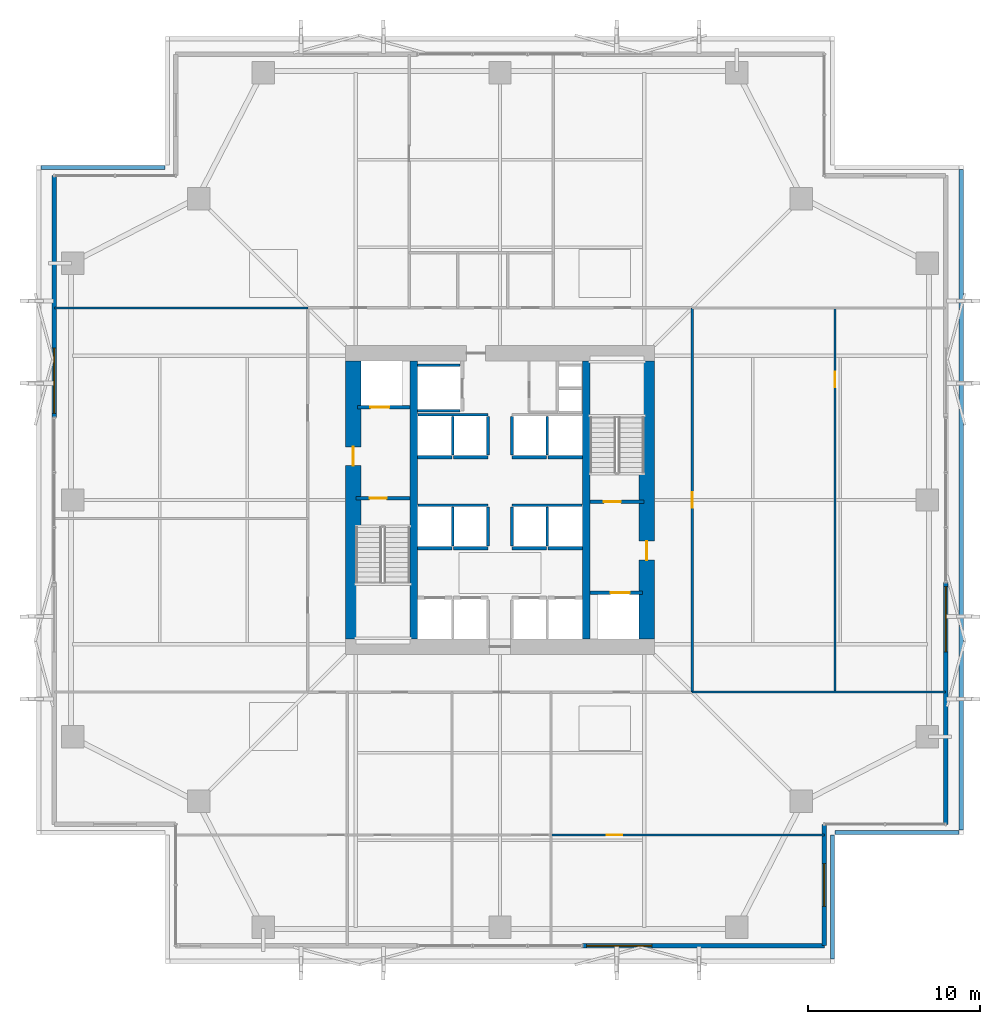
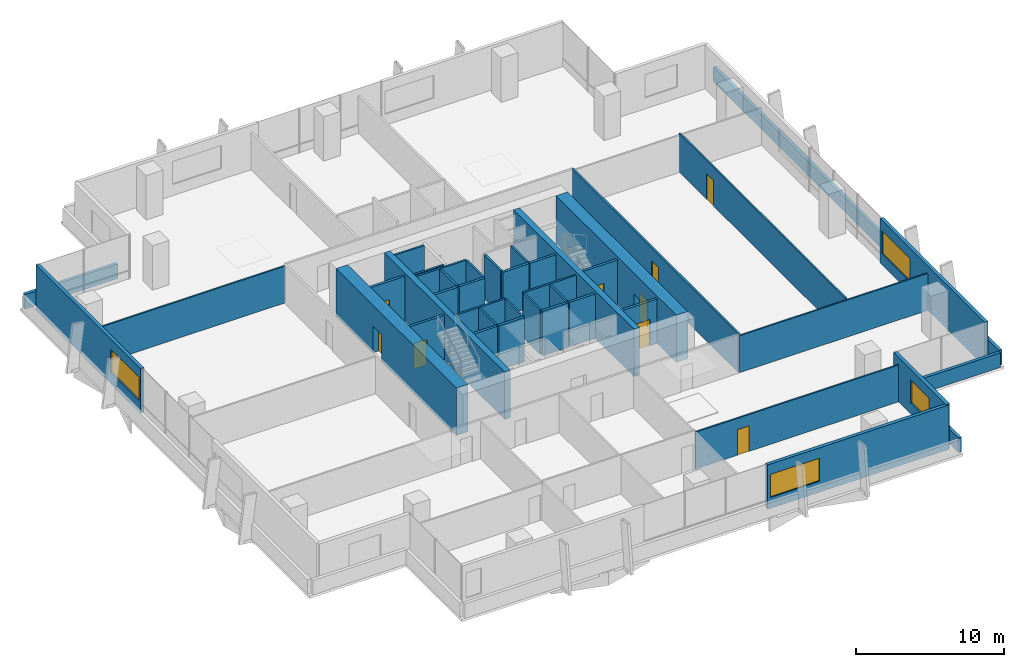
# One storey, part 31 of 34: 42 walls, 9 doors, 4 windows, 13 openings.
"""IFC4 building model written with IfcOpenShell, lengths in metres."""

from ifc_helpers import new_model, si_unit, direction, frame, frame_2d, origin, place, context, subcontext, project, spatial, rectangle, extrude, material, layer, layer_set, type_object, element, fill, save


model = new_model("IFC4")

# Units and contexts
model_context = context("Model", 3, precision=1e-05, world=origin(), true_north=direction((0.0, 1.0)))
body_context = subcontext(model_context, "Body", "Model", "MODEL_VIEW")
ifc_project = project(units=[si_unit("LENGTHUNIT", "METRE"), si_unit("AREAUNIT", "SQUARE_METRE"), si_unit("VOLUMEUNIT", "CUBIC_METRE"), si_unit("PLANEANGLEUNIT", "RADIAN"), si_unit("MASSUNIT", "GRAM", prefix="KILO")], contexts=[model_context])

# Site, building, storey
site_placement = place(None, origin())
site = spatial("IfcSite", under=ifc_project, at=site_placement, CompositionType="ELEMENT")
building_placement = place(site_placement, origin())
building = spatial("IfcBuilding", under=site, at=building_placement, Name="Belovzor Exchange Tower", CompositionType="ELEMENT")
storey_placement = place(building_placement, frame((0.0, 0.0, 113.39990234375)))
storey = spatial("IfcBuildingStorey", under=building, at=storey_placement, Name="L27", CompositionType="ELEMENT", Elevation=113.39990234375)

# Wall, opening, door
ifc_material_1 = material(Name="Acoustic Plasterboard on Galvanised Studs", Category="gypsum")
ifc_layer_1 = layer(ifc_material_1, 0.1201171875)
ifc_layer_set_1 = layer_set([ifc_layer_1], Name="Acoustic Plasterboard on Galvanised Studs")
wall_type_1 = type_object("IfcWallType", Name="Acoustic Double-Stud Partition Wall 120", PredefinedType="PARTITIONING", material=ifc_layer_set_1)
wall_1_placement = place(storey_placement, frame((31.780029296875, 9.280029296875, 0.0), z_axis=(0.0, 0.0, 1.0), x_axis=(1.0, 0.0, 0.0)))
wall_1 = element("IfcWall", 1, at=wall_1_placement, inside=storey, type_object=wall_type_1, Name="W-P120 Partition Wall W-L27-SHDIV-3", PredefinedType="PARTITIONING", context=body_context, shape_type="SweptSolid", body=[
    extrude(rectangle(XDim=15.919921875, YDim=0.1201171875, at=frame_2d((7.9599609375, 0.0))), origin(), (0.0, 0.0, 1.0), 3.03515625),
])
opening_1_placement = place(wall_1_placement, frame((3.24609375, 0.0, 0.0)))
opening_1 = element("IfcOpeningElement", 2, at=opening_1_placement, cuts=wall_1, Name="Opening D-INT-090", PredefinedType="OPENING", context=body_context, shape_type="SweptSolid", body=[
    extrude(rectangle(XDim=0.89990234375, YDim=2.10009765625, at=frame_2d((0.449951171875, 1.050048828125))), frame((0.0, 0.070068359375, 0.0), z_axis=(0.0, -1.0, 0.0), x_axis=(1.0, 0.0, 0.0)), (0.0, 0.0, 1.0), 0.14013671875),
])
ifc_material_2 = material(Name="Veneered Hardwood Acoustic Leaf", Category="wood")
door_type_1 = type_object("IfcDoorType", Name="Trading Suite Acoustic Single Door 900x2100", OperationType="NOTDEFINED", PredefinedType="DOOR", material=ifc_material_2)
door_1_placement = place(opening_1_placement, origin())
door_1 = element("IfcDoor", 3, at=door_1_placement, inside=storey, type_object=door_type_1, Name="D-INT-090 Trading Suite Acoustic Single Door 900x2100", OperationType="SINGLE_SWING_LEFT", OverallHeight=2.10009765625, OverallWidth=0.89990234375, PredefinedType="DOOR", context=body_context, shape_type="SweptSolid", body=[
    extrude(rectangle(XDim=0.89990234375, YDim=2.10009765625, at=frame_2d((0.449951171875, 1.050048828125))), frame((0.0, 0.02490234375, 0.0), z_axis=(0.0, -1.0, 0.0), x_axis=(1.0, 0.0, 0.0)), (0.0, 0.0, 1.0), 0.050048828125),
])
fill(opening_1, door_1)

# Walls
for number, where, z_axis, x_axis, name in (
    (4, (40.0, 17.60009765625, 0.0), (0.0, 0.0, 1.0), (1.0, 0.0, 0.0), "W-P120 Partition Wall W-L27-END-SE"),
    (5, (2.830078125, 40.0, 0.0), (0.0, 0.0, 1.0), (1.0, 0.0, 0.0), "W-P120 Partition Wall W-L27-END-NW"),
):
    element("IfcWall", number, at=place(storey_placement, frame(where, z_axis=z_axis, x_axis=x_axis)), inside=storey, type_object=wall_type_1, Name=name, PredefinedType="PARTITIONING", context=body_context, shape_type="SweptSolid", body=[
        extrude(rectangle(XDim=14.77001953125, YDim=0.1201171875, at=frame_2d((7.385009765625, 0.0))), origin(), (0.0, 0.0, 1.0), 3.03515625),
    ])

# Wall, opening, door
wall_2_placement = place(storey_placement, frame((48.320068359375, 17.60009765625, 0.0), z_axis=(0.0, 0.0, 1.0), x_axis=(0.0, 1.0, 0.0)))
wall_2 = element("IfcWall", 6, at=wall_2_placement, inside=storey, type_object=wall_type_1, Name="W-P120 Partition Wall W-L27-EHDIV-0", PredefinedType="PARTITIONING", context=body_context, shape_type="SweptSolid", body=[
    extrude(rectangle(XDim=22.39990234375, YDim=0.1201171875, at=frame_2d((11.199951171875, 0.0))), origin(), (0.0, 0.0, 1.0), 3.18505859375),
])
opening_2_placement = place(wall_2_placement, frame((17.782958984375, 0.0, 0.0)))
opening_2 = element("IfcOpeningElement", 7, at=opening_2_placement, cuts=wall_2, Name="Opening D-INT-090", PredefinedType="OPENING", context=body_context, shape_type="SweptSolid", body=[
    extrude(rectangle(XDim=0.89990234375, YDim=2.10009765625, at=frame_2d((0.449951171875, 1.050048828125))), frame((0.0, 0.070068359375, 0.0), z_axis=(0.0, -1.0, 0.0), x_axis=(1.0, 0.0, 0.0)), (0.0, 0.0, 1.0), 0.14013671875),
])
door_2_placement = place(opening_2_placement, origin())
door_2 = element("IfcDoor", 8, at=door_2_placement, inside=storey, type_object=door_type_1, Name="D-INT-090 Trading Suite Acoustic Single Door 900x2100", OperationType="SINGLE_SWING_RIGHT", OverallHeight=2.10009765625, OverallWidth=0.89990234375, PredefinedType="DOOR", context=body_context, shape_type="SweptSolid", body=[
    extrude(rectangle(XDim=0.89990234375, YDim=2.10009765625, at=frame_2d((0.449951171875, 1.050048828125))), frame((0.0, 0.02490234375, 0.0), z_axis=(0.0, -1.0, 0.0), x_axis=(1.0, 0.0, 0.0)), (0.0, 0.0, 1.0), 0.050048828125),
])
fill(opening_2, door_2)

ifc_material_3 = material(Name="Fire-Rated Gypsum Block and Mineral Wool", Category="gypsum")
ifc_layer_2 = layer(ifc_material_3, 0.14990234375)
ifc_layer_set_2 = layer_set([ifc_layer_2], Name="Fire-Rated Gypsum Block and Mineral Wool")
wall_type_2 = type_object("IfcWallType", Name="Fire-Rated Gypsum Block Corridor Wall 150", PredefinedType="PARTITIONING", material=ifc_layer_set_2)
wall_3_placement = place(storey_placement, frame((40.0, 17.60009765625, 0.0), z_axis=(0.0, 0.0, 1.0), x_axis=(0.0, 1.0, 0.0)))
wall_3 = element("IfcWall", 9, at=wall_3_placement, inside=storey, type_object=wall_type_2, Name="W-P150 Partition Wall W-L27-CE", PredefinedType="PARTITIONING", context=body_context, shape_type="SweptSolid", body=[
    extrude(rectangle(XDim=22.39990234375, YDim=0.14990234375, at=frame_2d((11.199951171875, 0.0))), origin(), (0.0, 0.0, 1.0), 3.18505859375),
])
opening_3_placement = place(wall_3_placement, frame((10.75, 0.0, 0.0)))
opening_3 = element("IfcOpeningElement", 10, at=opening_3_placement, cuts=wall_3, Name="Opening D-INT-090", PredefinedType="OPENING", context=body_context, shape_type="SweptSolid", body=[
    extrude(rectangle(XDim=0.89990234375, YDim=2.10009765625, at=frame_2d((0.449951171875, 1.050048828125))), frame((0.0, 0.0849609375, 0.0), z_axis=(0.0, -1.0, 0.0), x_axis=(1.0, 0.0, 0.0)), (0.0, 0.0, 1.0), 0.169921875),
])
door_3_placement = place(opening_3_placement, origin())
door_3 = element("IfcDoor", 11, at=door_3_placement, inside=storey, type_object=door_type_1, Name="D-INT-090 Trading Suite Acoustic Single Door 900x2100", OperationType="SINGLE_SWING_LEFT", OverallHeight=2.10009765625, OverallWidth=0.89990234375, PredefinedType="DOOR", context=body_context, shape_type="SweptSolid", body=[
    extrude(rectangle(XDim=0.89990234375, YDim=2.10009765625, at=frame_2d((0.449951171875, 1.050048828125))), frame((0.0, 0.02490234375, 0.0), z_axis=(0.0, -1.0, 0.0), x_axis=(1.0, 0.0, 0.0)), (0.0, 0.0, 1.0), 0.050048828125),
])
fill(opening_3, door_3)

# Wall, opening, window
ifc_material_4 = material(Name="Precast concrete C40/50", Category="concrete")
ifc_layer_3 = layer(ifc_material_4, 0.280029296875)
ifc_layer_set_3 = layer_set([ifc_layer_3], Name="Precast concrete C40/50")
wall_type_3 = type_object("IfcWallType", Name="Precast Concrete Notched Corner Frame Wall 280", PredefinedType="SOLIDWALL", material=ifc_layer_set_3)
wall_4_placement = place(storey_placement, frame((47.699951171875, 9.89990234375, 0.0), z_axis=(0.0, 0.0, 1.0), x_axis=(0.0, -1.0, 0.0)))
wall_4 = element("IfcWall", 12, at=wall_4_placement, inside=storey, type_object=wall_type_3, Name="W-CRN280 Precast Concrete Notched Corner Frame Wall 280 L27", PredefinedType="SOLIDWALL", context=body_context, shape_type="SweptSolid", body=[
    extrude(rectangle(XDim=7.06982421875, YDim=0.280029296875, at=frame_2d((3.534912109375, 0.0))), origin(), (0.0, 0.0, 1.0), 3.650146484375),
])
opening_4_placement = place(wall_4_placement, frame((2.284912109375, 0.0, 0.89990234375)))
opening_4 = element("IfcOpeningElement", 13, at=opening_4_placement, cuts=wall_4, Name="Opening WN-CRN250", PredefinedType="OPENING", context=body_context, shape_type="SweptSolid", body=[
    extrude(rectangle(XDim=2.5, YDim=1.89990234375, at=frame_2d((1.25, 0.949951171875))), frame((0.0, 0.14990234375, 0.0), z_axis=(0.0, -1.0, 0.0), x_axis=(1.0, 0.0, 0.0)), (0.0, 0.0, 1.0), 0.300048828125),
])
ifc_material_5 = material(Name="Thermally Broken Aluminium and Triple Glazing", Category="aluminium")
window_type_1 = type_object("IfcWindowType", Name="Streamline Moderne Corner Wrap Ribbon Window 2500x1900", PartitioningType="SINGLE_PANEL", PredefinedType="WINDOW", material=ifc_material_5)
window_1_placement = place(opening_4_placement, origin())
window_1 = element("IfcWindow", 14, at=window_1_placement, inside=storey, type_object=window_type_1, Name="WN-CRN250 Streamline Moderne Corner Wrap Ribbon Window 2500x1900", OverallHeight=1.89990234375, OverallWidth=2.5, PartitioningType="SINGLE_PANEL", PredefinedType="WINDOW", context=body_context, shape_type="SweptSolid", body=[
    extrude(rectangle(XDim=2.5, YDim=1.89990234375, at=frame_2d((1.25, 0.949951171875))), frame((0.0, 0.030029296875, 0.0), z_axis=(0.0, -1.0, 0.0), x_axis=(1.0, 0.0, 0.0)), (0.0, 0.0, 1.0), 0.06005859375),
])
fill(opening_4, window_1)

ifc_material_6 = material(Name="Precast concrete C40/50", Category="concrete")
ifc_layer_4 = layer(ifc_material_6, 0.260009765625)
ifc_layer_set_4 = layer_set([ifc_layer_4], Name="Precast concrete C40/50")
wall_type_4 = type_object("IfcWallType", Name="Precast Concrete Perimeter Loggia Frame Wall 260", PredefinedType="SOLIDWALL", material=ifc_layer_set_4)
wall_5_placement = place(storey_placement, frame((47.699951171875, 2.830078125, 0.0), z_axis=(0.0, 0.0, 1.0), x_axis=(-1.0, 0.0, 0.0)))
wall_5 = element("IfcWall", 15, at=wall_5_placement, inside=storey, type_object=wall_type_4, Name="W-EXT260 Precast Concrete Perimeter Loggia Frame Wall 260 L27", PredefinedType="SOLIDWALL", context=body_context, shape_type="SweptSolid", body=[
    extrude(rectangle(XDim=14.099853515625, YDim=0.260009765625, at=frame_2d((7.0498046875, 0.0))), origin(), (0.0, 0.0, 1.0), 3.650146484375),
])
opening_5_placement = place(wall_5_placement, frame((10.050048828125, 0.0, 0.89990234375)))
opening_5 = element("IfcOpeningElement", 16, at=opening_5_placement, cuts=wall_5, Name="Opening WN-RIB380", PredefinedType="OPENING", context=body_context, shape_type="SweptSolid", body=[
    extrude(rectangle(XDim=3.800048828125, YDim=1.89990234375, at=frame_2d((1.89990234375, 0.949951171875))), frame((0.0, 0.139892578125, 0.0), z_axis=(0.0, -1.0, 0.0), x_axis=(1.0, 0.0, 0.0)), (0.0, 0.0, 1.0), 0.280029296875),
])
ifc_material_7 = material(Name="Thermally Broken Aluminium and Triple Glazing", Category="aluminium")
window_type_2 = type_object("IfcWindowType", Name="Streamline Moderne Horizontal Ribbon Window 3800x1900", PartitioningType="SINGLE_PANEL", PredefinedType="WINDOW", material=ifc_material_7)
window_2_placement = place(opening_5_placement, origin())
window_2 = element("IfcWindow", 17, at=window_2_placement, inside=storey, type_object=window_type_2, Name="WN-RIB380 Streamline Moderne Horizontal Ribbon Window 3800x1900", OverallHeight=1.89990234375, OverallWidth=3.800048828125, PartitioningType="SINGLE_PANEL", PredefinedType="WINDOW", context=body_context, shape_type="SweptSolid", body=[
    extrude(rectangle(XDim=3.800048828125, YDim=1.89990234375, at=frame_2d((1.89990234375, 0.949951171875))), frame((0.0, 0.030029296875, 0.0), z_axis=(0.0, -1.0, 0.0), x_axis=(1.0, 0.0, 0.0)), (0.0, 0.0, 1.0), 0.06005859375),
])
fill(opening_5, window_2)

wall_6_placement = place(storey_placement, frame((2.830078125, 33.60009765625, 0.0), z_axis=(0.0, 0.0, 1.0), x_axis=(0.0, 1.0, 0.0)))
wall_6 = element("IfcWall", 18, at=wall_6_placement, inside=storey, type_object=wall_type_4, Name="W-EXT260 Precast Concrete Perimeter Loggia Frame Wall 260 L27", PredefinedType="SOLIDWALL", context=body_context, shape_type="SweptSolid", body=[
    extrude(rectangle(XDim=14.099853515625, YDim=0.260009765625, at=frame_2d((7.0498046875, 0.0))), origin(), (0.0, 0.0, 1.0), 3.650146484375),
])
opening_6_placement = place(wall_6_placement, frame((0.25, 0.0, 0.89990234375)))
opening_6 = element("IfcOpeningElement", 19, at=opening_6_placement, cuts=wall_6, Name="Opening WN-RIB380", PredefinedType="OPENING", context=body_context, shape_type="SweptSolid", body=[
    extrude(rectangle(XDim=3.800048828125, YDim=1.89990234375, at=frame_2d((1.89990234375, 0.949951171875))), frame((0.0, 0.139892578125, 0.0), z_axis=(0.0, -1.0, 0.0), x_axis=(1.0, 0.0, 0.0)), (0.0, 0.0, 1.0), 0.280029296875),
])
window_3_placement = place(opening_6_placement, origin())
window_3 = element("IfcWindow", 20, at=window_3_placement, inside=storey, type_object=window_type_2, Name="WN-RIB380 Streamline Moderne Horizontal Ribbon Window 3800x1900", OverallHeight=1.89990234375, OverallWidth=3.800048828125, PartitioningType="SINGLE_PANEL", PredefinedType="WINDOW", context=body_context, shape_type="SweptSolid", body=[
    extrude(rectangle(XDim=3.800048828125, YDim=1.89990234375, at=frame_2d((1.89990234375, 0.949951171875))), frame((0.0, 0.030029296875, 0.0), z_axis=(0.0, -1.0, 0.0), x_axis=(1.0, 0.0, 0.0)), (0.0, 0.0, 1.0), 0.06005859375),
])
fill(opening_6, window_3)

wall_7_placement = place(storey_placement, frame((54.77001953125, 24.0, 0.0), z_axis=(0.0, 0.0, 1.0), x_axis=(0.0, -1.0, 0.0)))
wall_7 = element("IfcWall", 21, at=wall_7_placement, inside=storey, type_object=wall_type_4, Name="W-EXT260 Precast Concrete Perimeter Loggia Frame Wall 260 L27", PredefinedType="SOLIDWALL", context=body_context, shape_type="SweptSolid", body=[
    extrude(rectangle(XDim=14.10009765625, YDim=0.260009765625, at=frame_2d((7.050048828125, 0.0))), origin(), (0.0, 0.0, 1.0), 3.650146484375),
])
opening_7_placement = place(wall_7_placement, frame((0.25, 0.0, 0.89990234375)))
opening_7 = element("IfcOpeningElement", 22, at=opening_7_placement, cuts=wall_7, Name="Opening WN-RIB380", PredefinedType="OPENING", context=body_context, shape_type="SweptSolid", body=[
    extrude(rectangle(XDim=3.800048828125, YDim=1.89990234375, at=frame_2d((1.89990234375, 0.949951171875))), frame((0.0, 0.139892578125, 0.0), z_axis=(0.0, -1.0, 0.0), x_axis=(1.0, 0.0, 0.0)), (0.0, 0.0, 1.0), 0.280029296875),
])
window_4_placement = place(opening_7_placement, origin())
window_4 = element("IfcWindow", 23, at=window_4_placement, inside=storey, type_object=window_type_2, Name="WN-RIB380 Streamline Moderne Horizontal Ribbon Window 3800x1900", OverallHeight=1.89990234375, OverallWidth=3.800048828125, PartitioningType="SINGLE_PANEL", PredefinedType="WINDOW", context=body_context, shape_type="SweptSolid", body=[
    extrude(rectangle(XDim=3.800048828125, YDim=1.89990234375, at=frame_2d((1.89990234375, 0.949951171875))), frame((0.0, 0.030029296875, 0.0), z_axis=(0.0, -1.0, 0.0), x_axis=(1.0, 0.0, 0.0)), (0.0, 0.0, 1.0), 0.06005859375),
])
fill(opening_7, window_4)

# Walls
ifc_material_8 = material(Name="Precast concrete C40/50", Category="concrete")
ifc_layer_5 = layer(ifc_material_8, 0.239990234375)
ifc_layer_set_5 = layer_set([ifc_layer_5], Name="Precast concrete C40/50")
wall_type_5 = type_object("IfcWallType", Name="Precast Stone Setback Roof Parapet Wall 240", PredefinedType="PARAPET", material=ifc_layer_set_5)
for number, where, z_axis, x_axis, name in (
    (24, (48.179931640625, 2.054931640625, 0.0), (0.0, 0.0, 1.0), (0.0, 1.0, 0.0), "W-PAR240 Precast Stone Setback Roof Parapet Wall 240 L27"),
    (25, (48.31494140625, 9.419921875, 0.0), (0.0, 0.0, 1.0), (1.0, 0.0, 0.0), "W-PAR240 Precast Stone Setback Roof Parapet Wall 240 L27"),
):
    element("IfcWall", number, at=place(storey_placement, frame(where, z_axis=z_axis, x_axis=x_axis)), inside=storey, type_object=wall_type_5, Name=name, PredefinedType="PARAPET", context=body_context, shape_type="SweptSolid", body=[
        extrude(rectangle(XDim=7.22998046875, YDim=0.239990234375, at=frame_2d((3.614990234375, 0.0))), origin(), (0.0, 0.0, 1.0), 1.2001953125),
    ])
wall_8_placement = place(storey_placement, frame((55.679931640625, 9.554931640625, 0.0), z_axis=(0.0, 0.0, 1.0), x_axis=(0.0, 1.0, 0.0)))
element("IfcWall", 26, at=wall_8_placement, inside=storey, type_object=wall_type_5, Name="W-PAR240 Precast Stone Setback Roof Parapet Wall 240 L27", PredefinedType="PARAPET", context=body_context, shape_type="SweptSolid", body=[
    extrude(rectangle(XDim=38.489990234375, YDim=0.239990234375, at=frame_2d((19.2451171875, 0.0))), origin(), (0.0, 0.0, 1.0), 1.2001953125),
])
wall_9_placement = place(storey_placement, frame((9.284912109375, 48.179931640625, 0.0), z_axis=(0.0, 0.0, 1.0), x_axis=(-1.0, 0.0, 0.0)))
element("IfcWall", 27, at=wall_9_placement, inside=storey, type_object=wall_type_5, Name="W-PAR240 Precast Stone Setback Roof Parapet Wall 240 L27", PredefinedType="PARAPET", context=body_context, shape_type="SweptSolid", body=[
    extrude(rectangle(XDim=7.22998046875, YDim=0.239990234375, at=frame_2d((3.614990234375, 0.0))), origin(), (0.0, 0.0, 1.0), 1.2001953125),
])
ifc_material_9 = material(Name="Concrete C50/60", Category="concrete")
ifc_layer_6 = layer(ifc_material_9, 0.449951171875)
ifc_layer_set_6 = layer_set([ifc_layer_6], Name="Concrete C50/60")
wall_type_6 = type_object("IfcWallType", Name="Reinforced Concrete Core Internal Web Wall 450", PredefinedType="SHEAR", material=ifc_layer_set_6)
for number, where, z_axis, x_axis, name in (
    (28, (23.77490234375, 20.699951171875, 0.0), (0.0, 0.0, 1.0), (0.0, 1.0, 0.0), "CW-W045 Core Internal Web Wall L27 WL"),
    (29, (33.824951171875, 20.699951171875, 0.0), (0.0, 0.0, 1.0), (0.0, 1.0, 0.0), "CW-W045 Core Internal Web Wall L27 ER"),
):
    element("IfcWall", number, at=place(storey_placement, frame(where, z_axis=z_axis, x_axis=x_axis)), inside=storey, type_object=wall_type_6, Name=name, PredefinedType="SHEAR", context=body_context, shape_type="SweptSolid", body=[
        extrude(rectangle(XDim=16.199951171875, YDim=0.449951171875, at=frame_2d((8.10009765625, 0.0))), origin(), (0.0, 0.0, 1.0), 3.900146484375),
    ])
ifc_material_10 = material(Name="Concrete C50/60", Category="concrete")
ifc_layer_7 = layer(ifc_material_10, 0.14990234375)
ifc_layer_set_7 = layer_set([ifc_layer_7], Name="Concrete C50/60")
wall_type_7 = type_object("IfcWallType", Name="Reinforced Concrete Core Riser Shear Wall 150", PredefinedType="SHEAR", material=ifc_layer_set_7)
for number, where, z_axis, x_axis, name in (
    (30, (24.0, 34.0, 0.0), (0.0, 0.0, 1.0), (1.0, 0.0, 0.0), "W-C150S Core Shaft Wall W-SH-L27-SL-01S"),
    (31, (24.0, 36.64990234375, 0.0), (0.0, 0.0, 1.0), (1.0, 0.0, 0.0), "W-C150S Core Shaft Wall W-SH-L27-SL-01N"),
):
    element("IfcWall", number, at=place(storey_placement, frame(where, z_axis=z_axis, x_axis=x_axis)), inside=storey, type_object=wall_type_7, Name=name, PredefinedType="SHEAR", context=body_context, shape_type="SweptSolid", body=[
        extrude(rectangle(XDim=2.47998046875, YDim=0.14990234375, at=frame_2d((1.239990234375, 0.0))), origin(), (0.0, 0.0, 1.0), 3.650146484375),
    ])
for number, where, z_axis, x_axis, name in (
    (32, (24.02001953125, 28.5, 0.0), (0.0, 0.0, 1.0), (1.0, 0.0, 0.0), "W-C150S Core Shaft Wall W-SHB-L27-PLM-NW"),
    (33, (29.5, 28.5, 0.0), (0.0, 0.0, 1.0), (1.0, 0.0, 0.0), "W-C150S Core Shaft Wall W-SHB-L27-PLM-NE"),
):
    element("IfcWall", number, at=place(storey_placement, frame(where, z_axis=z_axis, x_axis=x_axis)), inside=storey, type_object=wall_type_7, Name=name, PredefinedType="SHEAR", context=body_context, shape_type="SweptSolid", body=[
        extrude(rectangle(XDim=4.080078125, YDim=0.14990234375, at=frame_2d((2.0400390625, 0.0))), origin(), (0.0, 0.0, 1.0), 3.650146484375),
    ])
for number, where, z_axis, x_axis, name in (
    (34, (26.050048828125, 26.1201171875, 0.0), (0.0, 0.0, 1.0), (0.0, 1.0, 0.0), "W-C150S Core Shaft Wall W-SHD-L27-PLM-1"),
    (35, (28.10009765625, 26.1201171875, 0.0), (0.0, 0.0, 1.0), (0.0, 1.0, 0.0), "W-C150S Core Shaft Wall W-SHD-L27-PLM-2"),
    (36, (29.5, 26.1201171875, 0.0), (0.0, 0.0, 1.0), (0.0, 1.0, 0.0), "W-C150S Core Shaft Wall W-SHD-L27-PLM-3"),
    (37, (31.550048828125, 26.1201171875, 0.0), (0.0, 0.0, 1.0), (0.0, 1.0, 0.0), "W-C150S Core Shaft Wall W-SHD-L27-PLM-4"),
):
    element("IfcWall", number, at=place(storey_placement, frame(where, z_axis=z_axis, x_axis=x_axis)), inside=storey, type_object=wall_type_7, Name=name, PredefinedType="SHEAR", context=body_context, shape_type="SweptSolid", body=[
        extrude(rectangle(XDim=2.27978515625, YDim=0.14990234375, at=frame_2d((1.139892578125, 0.0))), origin(), (0.0, 0.0, 1.0), 3.650146484375),
    ])
wall_10_placement = place(storey_placement, frame((24.02001953125, 33.760009765625, 0.0), z_axis=(0.0, 0.0, 1.0), x_axis=(1.0, 0.0, 0.0)))
element("IfcWall", 38, at=wall_10_placement, inside=storey, type_object=wall_type_7, Name="W-C150S Core Shaft Wall W-SHB-L27-PLH-NW", PredefinedType="SHEAR", context=body_context, shape_type="SweptSolid", body=[
    extrude(rectangle(XDim=4.080078125, YDim=0.14990234375, at=frame_2d((2.0400390625, 0.0))), origin(), (0.0, 0.0, 1.0), 3.650146484375),
])
for number, where, z_axis, x_axis, name in (
    (39, (26.050048828125, 31.419921875, 0.0), (0.0, 0.0, 1.0), (0.0, 1.0, 0.0), "W-C150S Core Shaft Wall W-SHD-L27-PLH-1"),
    (40, (28.10009765625, 31.419921875, 0.0), (0.0, 0.0, 1.0), (0.0, 1.0, 0.0), "W-C150S Core Shaft Wall W-SHD-L27-PLH-2"),
    (41, (29.5, 31.419921875, 0.0), (0.0, 0.0, 1.0), (0.0, 1.0, 0.0), "W-C150S Core Shaft Wall W-SHD-L27-PLH-3"),
    (42, (31.550048828125, 31.419921875, 0.0), (0.0, 0.0, 1.0), (0.0, 1.0, 0.0), "W-C150S Core Shaft Wall W-SHD-L27-PLH-4"),
):
    element("IfcWall", number, at=place(storey_placement, frame(where, z_axis=z_axis, x_axis=x_axis)), inside=storey, type_object=wall_type_7, Name=name, PredefinedType="SHEAR", context=body_context, shape_type="SweptSolid", body=[
        extrude(rectangle(XDim=2.239990234375, YDim=0.14990234375, at=frame_2d((1.1201171875, 0.0))), origin(), (0.0, 0.0, 1.0), 3.650146484375),
    ])

# Wall, opening, door
ifc_material_11 = material(Name="Concrete C50/60", Category="concrete")
ifc_layer_8 = layer(ifc_material_11, 0.199951171875)
ifc_layer_set_8 = layer_set([ifc_layer_8], Name="Concrete C50/60")
wall_type_8 = type_object("IfcWallType", Name="Reinforced Concrete Core Shaft Shear Wall 200", PredefinedType="SHEAR", material=ifc_layer_set_8)
wall_11_placement = place(storey_placement, frame((20.39990234375, 28.89990234375, 0.0), z_axis=(0.0, 0.0, 1.0), x_axis=(1.0, 0.0, 0.0)))
wall_11 = element("IfcWall", 43, at=wall_11_placement, inside=storey, type_object=wall_type_8, Name="W-C200S Core Shaft Wall W-CORE-L27-FFLW1", PredefinedType="SHEAR", context=body_context, shape_type="SweptSolid", body=[
    extrude(rectangle(XDim=3.150146484375, YDim=0.199951171875, at=frame_2d((1.5751953125, 0.0))), origin(), (0.0, 0.0, 1.0), 3.650146484375),
])
opening_8_placement = place(wall_11_placement, frame((0.800048828125, 0.0, 0.0)))
opening_8 = element("IfcOpeningElement", 44, at=opening_8_placement, cuts=wall_11, Name="Opening D-FD90-100", PredefinedType="OPENING", context=body_context, shape_type="SweptSolid", body=[
    extrude(rectangle(XDim=1.0, YDim=2.10009765625, at=frame_2d((0.5, 1.050048828125))), frame((0.0, 0.10986328125, 0.0), z_axis=(0.0, -1.0, 0.0), x_axis=(1.0, 0.0, 0.0)), (0.0, 0.0, 1.0), 0.219970703125),
])
ifc_material_12 = material(Name="Fire-Rated Galvanised Steel Leaf", Category="steel")
door_type_2 = type_object("IfcDoorType", Name="Protected Stairwell Single Fire Door 1000x2100", OperationType="NOTDEFINED", PredefinedType="DOOR", material=ifc_material_12)
door_4_placement = place(opening_8_placement, origin())
door_4 = element("IfcDoor", 45, at=door_4_placement, inside=storey, type_object=door_type_2, Name="D-FD90-100 Protected Stairwell Single Fire Door 1000x2100", OperationType="SINGLE_SWING_RIGHT", OverallHeight=2.10009765625, OverallWidth=1.0, PredefinedType="DOOR", context=body_context, shape_type="SweptSolid", body=[
    extrude(rectangle(XDim=1.0, YDim=2.10009765625, at=frame_2d((0.5, 1.050048828125))), frame((0.0, 0.02490234375, 0.0), z_axis=(0.0, -1.0, 0.0), x_axis=(1.0, 0.0, 0.0)), (0.0, 0.0, 1.0), 0.050048828125),
])
fill(opening_8, door_4)

wall_12_placement = place(storey_placement, frame((34.050048828125, 28.699951171875, 0.0), z_axis=(0.0, 0.0, 1.0), x_axis=(1.0, 0.0, 0.0)))
wall_12 = element("IfcWall", 46, at=wall_12_placement, inside=storey, type_object=wall_type_8, Name="W-C200S Core Shaft Wall W-CORE-L27-FFLE2", PredefinedType="SHEAR", context=body_context, shape_type="SweptSolid", body=[
    extrude(rectangle(XDim=3.14990234375, YDim=0.199951171875, at=frame_2d((1.574951171875, 0.0))), origin(), (0.0, 0.0, 1.0), 3.650146484375),
])
opening_9_placement = place(wall_12_placement, frame((0.800048828125, 0.0, 0.0)))
opening_9 = element("IfcOpeningElement", 47, at=opening_9_placement, cuts=wall_12, Name="Opening D-FD90-100", PredefinedType="OPENING", context=body_context, shape_type="SweptSolid", body=[
    extrude(rectangle(XDim=1.0, YDim=2.10009765625, at=frame_2d((0.5, 1.050048828125))), frame((0.0, 0.10986328125, 0.0), z_axis=(0.0, -1.0, 0.0), x_axis=(1.0, 0.0, 0.0)), (0.0, 0.0, 1.0), 0.219970703125),
])
door_5_placement = place(opening_9_placement, origin())
door_5 = element("IfcDoor", 48, at=door_5_placement, inside=storey, type_object=door_type_2, Name="D-FD90-100 Protected Stairwell Single Fire Door 1000x2100", OperationType="SINGLE_SWING_LEFT", OverallHeight=2.10009765625, OverallWidth=1.0, PredefinedType="DOOR", context=body_context, shape_type="SweptSolid", body=[
    extrude(rectangle(XDim=1.0, YDim=2.10009765625, at=frame_2d((0.5, 1.050048828125))), frame((0.0, 0.02490234375, 0.0), z_axis=(0.0, -1.0, 0.0), x_axis=(1.0, 0.0, 0.0)), (0.0, 0.0, 1.0), 0.050048828125),
])
fill(opening_9, door_5)

wall_13_placement = place(storey_placement, frame((20.5, 34.199951171875, 0.0), z_axis=(0.0, 0.0, 1.0), x_axis=(1.0, 0.0, 0.0)))
wall_13 = element("IfcWall", 49, at=wall_13_placement, inside=storey, type_object=wall_type_8, Name="W-C200S Core Shaft Wall W-SH-L27-FFL-01", PredefinedType="SHEAR", context=body_context, shape_type="SweptSolid", body=[
    extrude(rectangle(XDim=3.050048828125, YDim=0.199951171875, at=frame_2d((1.52490234375, 0.0))), origin(), (0.0, 0.0, 1.0), 3.650146484375),
])
opening_10_placement = place(wall_13_placement, frame((0.75, 0.0, 0.0)))
opening_10 = element("IfcOpeningElement", 50, at=opening_10_placement, cuts=wall_13, Name="Opening LD-110", PredefinedType="OPENING", context=body_context, shape_type="SweptSolid", body=[
    extrude(rectangle(XDim=1.10009765625, YDim=2.14990234375, at=frame_2d((0.550048828125, 1.074951171875))), frame((0.0, 0.10986328125, 0.0), z_axis=(0.0, -1.0, 0.0), x_axis=(1.0, 0.0, 0.0)), (0.0, 0.0, 1.0), 0.219970703125),
])
ifc_material_13 = material(Name="Stainless Steel Grade 304", Category="steel")
door_type_3 = type_object("IfcDoorType", Name="Automated Stainless Steel Lift Landing Door 1100x2150", OperationType="SLIDING_TO_RIGHT", PredefinedType="DOOR", material=ifc_material_13)
door_6_placement = place(opening_10_placement, origin())
door_6 = element("IfcDoor", 51, at=door_6_placement, inside=storey, type_object=door_type_3, Name="LD-110 Automated Stainless Steel Lift Landing Door 1100x2150", OperationType="SLIDING_TO_RIGHT", OverallHeight=2.14990234375, OverallWidth=1.10009765625, PredefinedType="DOOR", context=body_context, shape_type="SweptSolid", body=[
    extrude(rectangle(XDim=1.10009765625, YDim=2.14990234375, at=frame_2d((0.550048828125, 1.074951171875))), frame((0.0, 0.02490234375, 0.0), z_axis=(0.0, -1.0, 0.0), x_axis=(1.0, 0.0, 0.0)), (0.0, 0.0, 1.0), 0.050048828125),
])
fill(opening_10, door_6)

wall_14_placement = place(storey_placement, frame((34.050048828125, 23.39990234375, 0.0), z_axis=(0.0, 0.0, 1.0), x_axis=(1.0, 0.0, 0.0)))
wall_14 = element("IfcWall", 52, at=wall_14_placement, inside=storey, type_object=wall_type_8, Name="W-C200S Core Shaft Wall W-SH-L27-FFL-02", PredefinedType="SHEAR", context=body_context, shape_type="SweptSolid", body=[
    extrude(rectangle(XDim=3.050048828125, YDim=0.199951171875, at=frame_2d((1.52490234375, 0.0))), origin(), (0.0, 0.0, 1.0), 3.650146484375),
])
opening_11_placement = place(wall_14_placement, frame((1.199951171875, 0.0, 0.0)))
opening_11 = element("IfcOpeningElement", 53, at=opening_11_placement, cuts=wall_14, Name="Opening LD-110", PredefinedType="OPENING", context=body_context, shape_type="SweptSolid", body=[
    extrude(rectangle(XDim=1.10009765625, YDim=2.14990234375, at=frame_2d((0.550048828125, 1.074951171875))), frame((0.0, 0.10986328125, 0.0), z_axis=(0.0, -1.0, 0.0), x_axis=(1.0, 0.0, 0.0)), (0.0, 0.0, 1.0), 0.219970703125),
])
door_7_placement = place(opening_11_placement, origin())
door_7 = element("IfcDoor", 54, at=door_7_placement, inside=storey, type_object=door_type_3, Name="LD-110 Automated Stainless Steel Lift Landing Door 1100x2150", OperationType="SLIDING_TO_RIGHT", OverallHeight=2.14990234375, OverallWidth=1.10009765625, PredefinedType="DOOR", context=body_context, shape_type="SweptSolid", body=[
    extrude(rectangle(XDim=1.10009765625, YDim=2.14990234375, at=frame_2d((0.550048828125, 1.074951171875))), frame((0.0, 0.02490234375, 0.0), z_axis=(0.0, -1.0, 0.0), x_axis=(1.0, 0.0, 0.0)), (0.0, 0.0, 1.0), 0.050048828125),
])
fill(opening_11, door_7)

# Walls
for number, where, z_axis, x_axis, name in (
    (55, (24.0, 26.0, 0.0), (0.0, 0.0, 1.0), (1.0, 0.0, 0.0), "W-C200S Core Shaft Wall W-SH-L27-PL-M1"),
    (56, (26.10009765625, 26.0, 0.0), (0.0, 0.0, 1.0), (1.0, 0.0, 0.0), "W-C200S Core Shaft Wall W-SH-L27-PL-M2"),
    (57, (29.5, 26.0, 0.0), (0.0, 0.0, 1.0), (1.0, 0.0, 0.0), "W-C200S Core Shaft Wall W-SH-L27-PL-M3"),
    (58, (31.60009765625, 26.0, 0.0), (0.0, 0.0, 1.0), (1.0, 0.0, 0.0), "W-C200S Core Shaft Wall W-SH-L27-PL-M4"),
    (59, (24.0, 31.300048828125, 0.0), (0.0, 0.0, 1.0), (1.0, 0.0, 0.0), "W-C200S Core Shaft Wall W-SH-L27-PL-H1"),
    (60, (26.10009765625, 31.300048828125, 0.0), (0.0, 0.0, 1.0), (1.0, 0.0, 0.0), "W-C200S Core Shaft Wall W-SH-L27-PL-H2"),
    (61, (29.5, 31.300048828125, 0.0), (0.0, 0.0, 1.0), (1.0, 0.0, 0.0), "W-C200S Core Shaft Wall W-SH-L27-PL-H3"),
    (62, (31.60009765625, 31.300048828125, 0.0), (0.0, 0.0, 1.0), (1.0, 0.0, 0.0), "W-C200S Core Shaft Wall W-SH-L27-PL-H4"),
):
    element("IfcWall", number, at=place(storey_placement, frame(where, z_axis=z_axis, x_axis=x_axis)), inside=storey, type_object=wall_type_8, Name=name, PredefinedType="SHEAR", context=body_context, shape_type="SweptSolid", body=[
        extrude(rectangle(XDim=2.0, YDim=0.199951171875, at=frame_2d((1.0, 0.0))), origin(), (0.0, 0.0, 1.0), 3.650146484375),
    ])

# Wall, opening, door
ifc_material_14 = material(Name="Concrete C60/75", Category="concrete")
ifc_layer_9 = layer(ifc_material_14, 0.89990234375)
ifc_layer_set_9 = layer_set([ifc_layer_9], Name="Concrete C60/75")
wall_type_9 = type_object("IfcWallType", Name="Reinforced Concrete Core Shear Wall 900", PredefinedType="SHEAR", material=ifc_layer_set_9)
wall_15_placement = place(storey_placement, frame((20.25, 20.699951171875, 0.0), z_axis=(0.0, 0.0, 1.0), x_axis=(0.0, 1.0, 0.0)))
wall_15 = element("IfcWall", 63, at=wall_15_placement, inside=storey, type_object=wall_type_9, Name="CW-S090 Core Shear Wall L27 W", PredefinedType="SHEAR", context=body_context, shape_type="SweptSolid", body=[
    extrude(rectangle(XDim=16.199951171875, YDim=0.89990234375, at=frame_2d((8.10009765625, 0.0))), origin(), (0.0, 0.0, 1.0), 3.900146484375),
])
opening_12_placement = place(wall_15_placement, frame((10.10009765625, 0.0, 0.0)))
opening_12 = element("IfcOpeningElement", 64, at=opening_12_placement, cuts=wall_15, Name="Opening D-FD90-110", PredefinedType="OPENING", context=body_context, shape_type="SweptSolid", body=[
    extrude(rectangle(XDim=1.10009765625, YDim=2.14990234375, at=frame_2d((0.550048828125, 1.074951171875))), frame((0.0, 0.4599609375, 0.0), z_axis=(0.0, -1.0, 0.0), x_axis=(1.0, 0.0, 0.0)), (0.0, 0.0, 1.0), 0.919921875),
])
ifc_material_15 = material(Name="Fire-Rated Galvanised Steel Leaf", Category="steel")
door_type_4 = type_object("IfcDoorType", Name="Protected Escape Vestibule Fire Door 1100x2150", OperationType="NOTDEFINED", PredefinedType="DOOR", material=ifc_material_15)
door_8_placement = place(opening_12_placement, origin())
door_8 = element("IfcDoor", 65, at=door_8_placement, inside=storey, type_object=door_type_4, Name="D-FD90-110 Protected Escape Vestibule Fire Door 1100x2150", OperationType="SINGLE_SWING_LEFT", OverallHeight=2.14990234375, OverallWidth=1.10009765625, PredefinedType="DOOR", context=body_context, shape_type="SweptSolid", body=[
    extrude(rectangle(XDim=1.10009765625, YDim=2.14990234375, at=frame_2d((0.550048828125, 1.074951171875))), frame((0.0, 0.02490234375, 0.0), z_axis=(0.0, -1.0, 0.0), x_axis=(1.0, 0.0, 0.0)), (0.0, 0.0, 1.0), 0.050048828125),
])
fill(opening_12, door_8)

wall_16_placement = place(storey_placement, frame((37.35009765625, 20.699951171875, 0.0), z_axis=(0.0, 0.0, 1.0), x_axis=(0.0, 1.0, 0.0)))
wall_16 = element("IfcWall", 66, at=wall_16_placement, inside=storey, type_object=wall_type_9, Name="CW-S090 Core Shear Wall L27 E", PredefinedType="SHEAR", context=body_context, shape_type="SweptSolid", body=[
    extrude(rectangle(XDim=16.199951171875, YDim=0.89990234375, at=frame_2d((8.10009765625, 0.0))), origin(), (0.0, 0.0, 1.0), 3.900146484375),
])
opening_13_placement = place(wall_16_placement, frame((4.60009765625, 0.0, 0.0)))
opening_13 = element("IfcOpeningElement", 67, at=opening_13_placement, cuts=wall_16, Name="Opening D-FD90-110", PredefinedType="OPENING", context=body_context, shape_type="SweptSolid", body=[
    extrude(rectangle(XDim=1.10009765625, YDim=2.14990234375, at=frame_2d((0.550048828125, 1.074951171875))), frame((0.0, 0.4599609375, 0.0), z_axis=(0.0, -1.0, 0.0), x_axis=(1.0, 0.0, 0.0)), (0.0, 0.0, 1.0), 0.919921875),
])
door_9_placement = place(opening_13_placement, origin())
door_9 = element("IfcDoor", 68, at=door_9_placement, inside=storey, type_object=door_type_4, Name="D-FD90-110 Protected Escape Vestibule Fire Door 1100x2150", OperationType="SINGLE_SWING_RIGHT", OverallHeight=2.14990234375, OverallWidth=1.10009765625, PredefinedType="DOOR", context=body_context, shape_type="SweptSolid", body=[
    extrude(rectangle(XDim=1.10009765625, YDim=2.14990234375, at=frame_2d((0.550048828125, 1.074951171875))), frame((0.0, 0.02490234375, 0.0), z_axis=(0.0, -1.0, 0.0), x_axis=(1.0, 0.0, 0.0)), (0.0, 0.0, 1.0), 0.050048828125),
])
fill(opening_13, door_9)

save(model, "model.ifc")
